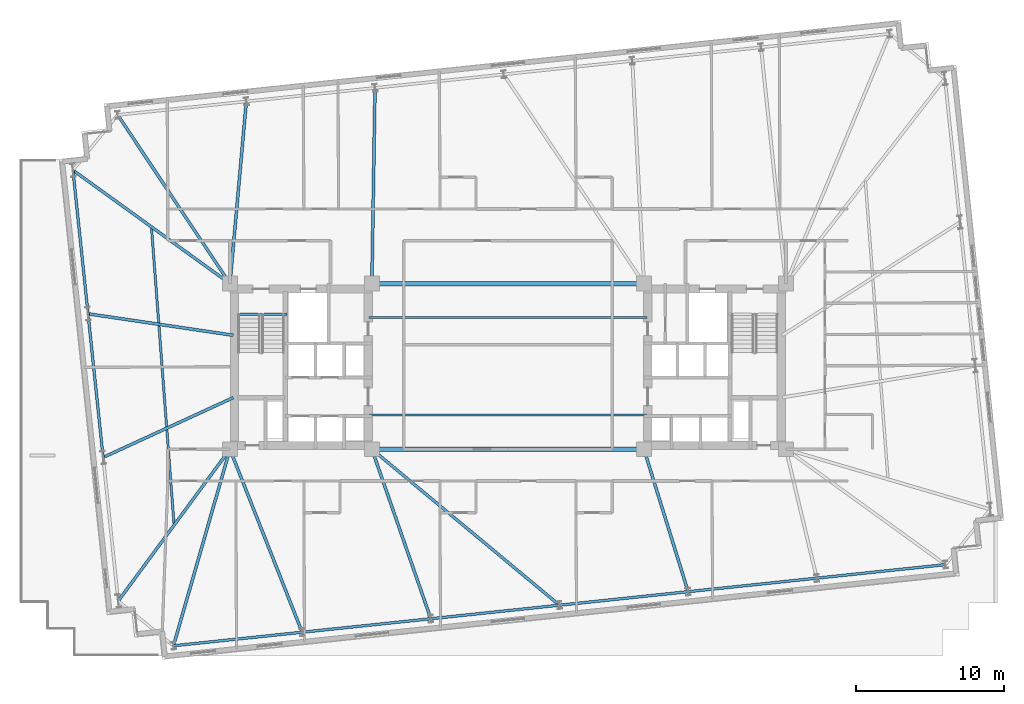
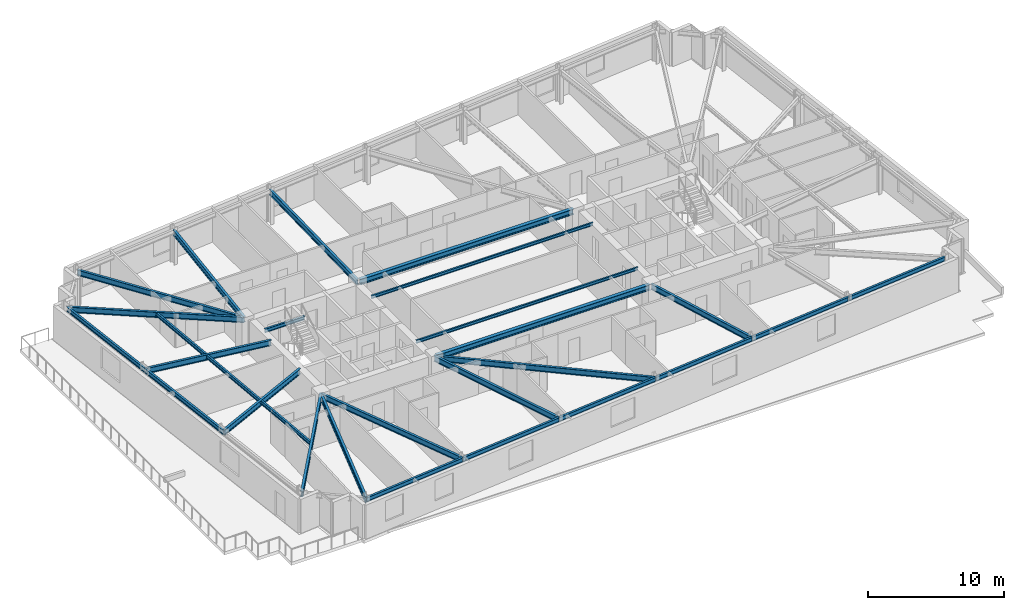
# One storey, part 5 of 20: 26 beams.
"""IFC4 building model written with IfcOpenShell, lengths in metres."""

from ifc_helpers import new_model, si_unit, direction, frame, origin, origin_2d, place, context, subcontext, project, spatial, i_section, extrude, material, material_profile, profile_set, type_object, element, save


model = new_model("IFC4")

# Units and contexts
model_context = context("Model", 3, precision=1e-05, world=origin(), true_north=direction((0.0, 1.0)))
body_context = subcontext(model_context, "Body", "Model", "MODEL_VIEW")
ifc_project = project(units=[si_unit("LENGTHUNIT", "METRE"), si_unit("AREAUNIT", "SQUARE_METRE"), si_unit("VOLUMEUNIT", "CUBIC_METRE"), si_unit("PLANEANGLEUNIT", "RADIAN"), si_unit("MASSUNIT", "GRAM", prefix="KILO")], contexts=[model_context])

# Site, building, storey
site_placement = place(None, origin())
site = spatial("IfcSite", under=ifc_project, at=site_placement, CompositionType="ELEMENT")
building_placement = place(site_placement, origin())
building = spatial("IfcBuilding", under=site, at=building_placement, Name="Qobustan Lattice House", CompositionType="ELEMENT")
storey_placement = place(building_placement, frame((0.0, 0.0, 79.0)))
storey = spatial("IfcBuildingStorey", under=building, at=storey_placement, Name="L21", CompositionType="ELEMENT", Elevation=79.0)

# Beams
ifc_material_1 = material(Name="Steel S355", Category="steel")
ifc_material_profile_1 = material_profile(ifc_material_1, i_section(OverallWidth=0.300048828125, OverallDepth=0.5, WebThickness=0.014404296875, FlangeThickness=0.028076171875, FilletRadius=0.027099609375, at=origin_2d()), Name="HEB500")
ifc_profile_set_1 = profile_set([ifc_material_profile_1], Name="Steel S355")
beam_type_1 = type_object("IfcBeamType", Name="BM-CG-HEB500", PredefinedType="USERDEFINED", material=ifc_profile_set_1)
for number, where, z_axis, x_axis, name in (
    (1, (-9.050048828125, -5.60009765625, 2.794921875), (1.0, 0.0, 0.0), (0.0, 1.0, 0.0), "L21 core spine girder CG-CS"),
    (2, (-9.050048828125, 5.60009765625, 2.794921875), (1.0, 0.0, 0.0), (0.0, 1.0, 0.0), "L21 core spine girder CG-CN"),
):
    element("IfcBeam", number, at=place(storey_placement, frame(where, z_axis=z_axis, x_axis=x_axis)), inside=storey, type_object=beam_type_1, Name=name, ObjectType="GIRDER", PredefinedType="USERDEFINED", context=body_context, shape_type="SweptSolid", body=[
        extrude(i_section(OverallWidth=0.300048828125, OverallDepth=0.5, WebThickness=0.014404296875, FlangeThickness=0.028076171875, FilletRadius=0.027099609375, at=origin_2d()), origin(), (0.0, 0.0, 1.0), 18.10009765625),
    ])
ifc_material_2 = material(Name="Steel S355", Category="steel")
ifc_material_profile_2 = material_profile(ifc_material_2, i_section(OverallWidth=0.199951171875, OverallDepth=0.5, WebThickness=0.01025390625, FlangeThickness=0.01611328125, FilletRadius=0.02099609375, at=origin_2d()), Name="IPE500")
ifc_profile_set_2 = profile_set([ifc_material_profile_2], Name="Steel S355")
beam_type_2 = type_object("IfcBeamType", Name="BM-FLG-IPE500", PredefinedType="USERDEFINED", material=ifc_profile_set_2)
beam_1_placement = place(storey_placement, frame((-22.612548828125, -18.87109375, 2.794921875), z_axis=(0.276115177845, 0.961124554136, 0.0), x_axis=(-0.961124554136, 0.276115177845, 0.0)))
element("IfcBeam", 3, at=beam_1_placement, inside=storey, type_object=beam_type_2, Name="L21 primary floor girder RAD-S1W", ObjectType="GIRDER", PredefinedType="USERDEFINED", context=body_context, shape_type="SweptSolid", body=[
    extrude(i_section(OverallWidth=0.199951171875, OverallDepth=0.5, WebThickness=0.01025390625, FlangeThickness=0.01611328125, FilletRadius=0.02099609375, at=origin_2d()), origin(), (0.0, 0.0, 1.0), 13.782958984375),
])
beam_2_placement = place(storey_placement, frame((-13.926513671875, -17.95703125, 2.794921875), z_axis=(-0.366884358141, 0.930266557365, 0.0), x_axis=(-0.930266557365, -0.366884358141, 0.0)))
element("IfcBeam", 4, at=beam_2_placement, inside=storey, type_object=beam_type_2, Name="L21 primary floor girder RAD-S2", ObjectType="GIRDER", PredefinedType="USERDEFINED", context=body_context, shape_type="SweptSolid", body=[
    extrude(i_section(OverallWidth=0.199951171875, OverallDepth=0.5, WebThickness=0.01025390625, FlangeThickness=0.01611328125, FilletRadius=0.02099609375, at=origin_2d()), origin(), (0.0, 0.0, 1.0), 13.25830078125),
])
beam_3_placement = place(storey_placement, frame((-5.223388671875, -17.0419921875, 2.794921875), z_axis=(-0.328289533586, 0.94457714462, 0.0), x_axis=(-0.94457714462, -0.328289533586, 0.0)))
element("IfcBeam", 5, at=beam_3_placement, inside=storey, type_object=beam_type_2, Name="L21 primary floor girder RAD-S3", ObjectType="GIRDER", PredefinedType="USERDEFINED", context=body_context, shape_type="SweptSolid", body=[
    extrude(i_section(OverallWidth=0.199951171875, OverallDepth=0.5, WebThickness=0.01025390625, FlangeThickness=0.01611328125, FilletRadius=0.02099609375, at=origin_2d()), origin(), (0.0, 0.0, 1.0), 12.08837890625),
])
beam_4_placement = place(storey_placement, frame((3.467529296875, -16.135009765625, 2.794921875), z_axis=(-0.768858311844, 0.639419186691, 0.0), x_axis=(-0.639419186691, -0.768858311844, 0.0)))
element("IfcBeam", 6, at=beam_4_placement, inside=storey, type_object=beam_type_2, Name="L21 primary floor girder RAD-S4", ObjectType="GIRDER", PredefinedType="USERDEFINED", context=body_context, shape_type="SweptSolid", body=[
    extrude(i_section(OverallWidth=0.199951171875, OverallDepth=0.5, WebThickness=0.01025390625, FlangeThickness=0.01611328125, FilletRadius=0.02099609375, at=origin_2d()), origin(), (0.0, 0.0, 1.0), 16.450927734375),
])
beam_5_placement = place(storey_placement, frame((12.181396484375, -15.212646484375, 2.794921875), z_axis=(-0.296219460995, 0.955119903953, 0.0), x_axis=(-0.955119903953, -0.296219460995, 0.0)))
element("IfcBeam", 7, at=beam_5_placement, inside=storey, type_object=beam_type_2, Name="L21 primary floor girder RAD-S5", ObjectType="GIRDER", PredefinedType="USERDEFINED", context=body_context, shape_type="SweptSolid", body=[
    extrude(i_section(OverallWidth=0.199951171875, OverallDepth=0.5, WebThickness=0.01025390625, FlangeThickness=0.01611328125, FilletRadius=0.02099609375, at=origin_2d()), origin(), (0.0, 0.0, 1.0), 10.03955078125),
])
beam_6_placement = place(storey_placement, frame((-26.37890625, 16.986328125, 2.794921875), z_axis=(0.5540893103, -0.832457227857, 0.0), x_axis=(0.832457227857, 0.5540893103, 0.0)))
element("IfcBeam", 8, at=beam_6_placement, inside=storey, type_object=beam_type_2, Name="L21 primary floor girder RAD-N7W", ObjectType="GIRDER", PredefinedType="USERDEFINED", context=body_context, shape_type="SweptSolid", body=[
    extrude(i_section(OverallWidth=0.199951171875, OverallDepth=0.5, WebThickness=0.01025390625, FlangeThickness=0.01611328125, FilletRadius=0.02099609375, at=origin_2d()), origin(), (0.0, 0.0, 1.0), 13.65283203125),
])
beam_7_placement = place(storey_placement, frame((-17.693115234375, 17.89697265625, 2.794921875), z_axis=(-0.089658533603, -0.995972563554, 0.0), x_axis=(0.995972563554, -0.089658533603, 0.0)))
element("IfcBeam", 9, at=beam_7_placement, inside=storey, type_object=beam_type_2, Name="L21 primary floor girder RAD-N6", ObjectType="GIRDER", PredefinedType="USERDEFINED", context=body_context, shape_type="SweptSolid", body=[
    extrude(i_section(OverallWidth=0.199951171875, OverallDepth=0.5, WebThickness=0.01025390625, FlangeThickness=0.01611328125, FilletRadius=0.02099609375, at=origin_2d()), origin(), (0.0, 0.0, 1.0), 12.321533203125),
])
beam_8_placement = place(storey_placement, frame((-8.9892578125, 18.8115234375, 2.794921875), z_axis=(-0.015957384359, -0.999872672836, 0.0), x_axis=(0.999872672836, -0.015957384359, 0.0)))
element("IfcBeam", 10, at=beam_8_placement, inside=storey, type_object=beam_type_2, Name="L21 primary floor girder RAD-N5", ObjectType="GIRDER", PredefinedType="USERDEFINED", context=body_context, shape_type="SweptSolid", body=[
    extrude(i_section(OverallWidth=0.199951171875, OverallDepth=0.5, WebThickness=0.01025390625, FlangeThickness=0.01611328125, FilletRadius=0.02099609375, at=origin_2d()), origin(), (0.0, 0.0, 1.0), 13.188232421875),
])
beam_9_placement = place(storey_placement, frame((-29.398681640625, 13.255859375, 2.794921875), z_axis=(0.810627425394, -0.585562274399, 0.0), x_axis=(0.585562274399, 0.810627425394, 0.0)))
element("IfcBeam", 11, at=beam_9_placement, inside=storey, type_object=beam_type_2, Name="L21 primary floor girder RAD-W1", ObjectType="GIRDER", PredefinedType="USERDEFINED", context=body_context, shape_type="SweptSolid", body=[
    extrude(i_section(OverallWidth=0.199951171875, OverallDepth=0.5, WebThickness=0.01025390625, FlangeThickness=0.01611328125, FilletRadius=0.02099609375, at=origin_2d()), origin(), (0.0, 0.0, 1.0), 13.049560546875),
])
beam_10_placement = place(storey_placement, frame((-28.373291015625, 3.5537109375, 2.794921875), z_axis=(0.989228195022, -0.146381618294, 0.0), x_axis=(0.146381618294, 0.989228195022, 0.0)))
element("IfcBeam", 12, at=beam_10_placement, inside=storey, type_object=beam_type_2, Name="L21 primary floor girder RAD-W2", ObjectType="GIRDER", PredefinedType="USERDEFINED", context=body_context, shape_type="SweptSolid", body=[
    extrude(i_section(OverallWidth=0.199951171875, OverallDepth=0.5, WebThickness=0.01025390625, FlangeThickness=0.01611328125, FilletRadius=0.02099609375, at=origin_2d()), origin(), (0.0, 0.0, 1.0), 9.9052734375),
])
beam_11_placement = place(storey_placement, frame((-27.3544921875, -6.1455078125, 2.794921875), z_axis=(0.908664928826, 0.417526103521, 0.0), x_axis=(-0.417526103521, 0.908664928826, 0.0)))
element("IfcBeam", 13, at=beam_11_placement, inside=storey, type_object=beam_type_2, Name="L21 primary floor girder RAD-W3", ObjectType="GIRDER", PredefinedType="USERDEFINED", context=body_context, shape_type="SweptSolid", body=[
    extrude(i_section(OverallWidth=0.199951171875, OverallDepth=0.5, WebThickness=0.01025390625, FlangeThickness=0.01611328125, FilletRadius=0.02099609375, at=origin_2d()), origin(), (0.0, 0.0, 1.0), 9.66455078125),
])
beam_12_placement = place(storey_placement, frame((-26.34130859375, -15.848876953125, 2.794921875), z_axis=(0.592669703312, 0.805445605101, 0.0), x_axis=(-0.805445605101, 0.592669703312, 0.0)))
element("IfcBeam", 14, at=beam_12_placement, inside=storey, type_object=beam_type_2, Name="L21 primary floor girder RAD-W4", ObjectType="GIRDER", PredefinedType="USERDEFINED", context=body_context, shape_type="SweptSolid", body=[
    extrude(i_section(OverallWidth=0.199951171875, OverallDepth=0.5, WebThickness=0.01025390625, FlangeThickness=0.01611328125, FilletRadius=0.02099609375, at=origin_2d()), origin(), (0.0, 0.0, 1.0), 12.699462890625),
])
ifc_material_3 = material(Name="Steel S355", Category="steel")
ifc_material_profile_3 = material_profile(ifc_material_3, i_section(OverallWidth=0.135009765625, OverallDepth=0.27001953125, WebThickness=0.006591796875, FlangeThickness=0.01025390625, FilletRadius=0.014892578125, at=origin_2d()), Name="IPE270")
ifc_profile_set_3 = profile_set([ifc_material_profile_3], Name="Steel S355")
beam_type_3 = type_object("IfcBeamType", Name="BM-JST-IPE270", PredefinedType="JOIST", material=ifc_profile_set_3)
for number, where, z_axis, x_axis, name in (
    (15, (-9.39990234375, -3.300048828125, 2.909912109375), (1.0, 0.0, 0.0), (0.0, 1.0, 0.0), "L21 central span floor joist 1"),
    (16, (-9.39990234375, 3.300048828125, 2.909912109375), (1.0, 0.0, 0.0), (0.0, 1.0, 0.0), "L21 central span floor joist 2"),
):
    element("IfcBeam", number, at=place(storey_placement, frame(where, z_axis=z_axis, x_axis=x_axis)), inside=storey, type_object=beam_type_3, Name=name, PredefinedType="JOIST", context=body_context, shape_type="SweptSolid", body=[
        extrude(i_section(OverallWidth=0.135009765625, OverallDepth=0.27001953125, WebThickness=0.006591796875, FlangeThickness=0.01025390625, FilletRadius=0.014892578125, at=origin_2d()), origin(), (0.0, 0.0, 1.0), 18.7998046875),
    ])
ifc_material_4 = material(Name="Steel S355", Category="steel")
ifc_material_profile_4 = material_profile(ifc_material_4, i_section(OverallWidth=0.159912109375, OverallDepth=0.330078125, WebThickness=0.007568359375, FlangeThickness=0.011474609375, FilletRadius=0.01806640625, at=origin_2d()), Name="IPE330")
ifc_profile_set_4 = profile_set([ifc_material_profile_4], Name="Steel S355")
beam_type_4 = type_object("IfcBeamType", Name="BM-SEC-IPE330", PredefinedType="BEAM", material=ifc_profile_set_4)
beam_13_placement = place(storey_placement, frame((-24.109619140625, 9.435302734375, 2.8798828125), z_axis=(0.07571166528, -0.997129752711, 0.0), x_axis=(0.997129752711, 0.07571166528, 0.0)))
element("IfcBeam", 17, at=beam_13_placement, inside=storey, type_object=beam_type_4, Name="L21 west wing secondary beam", PredefinedType="BEAM", context=body_context, shape_type="SweptSolid", body=[
    extrude(i_section(OverallWidth=0.159912109375, OverallDepth=0.330078125, WebThickness=0.007568359375, FlangeThickness=0.011474609375, FilletRadius=0.01806640625, at=origin_2d()), origin(), (0.0, 0.0, 1.0), 20.22802734375),
])
ifc_material_5 = material(Name="Steel S355", Category="steel")
ifc_material_profile_5 = material_profile(ifc_material_5, i_section(OverallWidth=0.159912109375, OverallDepth=0.330078125, WebThickness=0.007568359375, FlangeThickness=0.011474609375, FilletRadius=0.01806640625, at=origin_2d()), Name="IPE330")
ifc_profile_set_5 = profile_set([ifc_material_profile_5], Name="Steel S355")
beam_type_5 = type_object("IfcBeamType", Name="BM-SPD-IPE330", PredefinedType="SPANDREL", material=ifc_profile_set_5)
beam_14_placement = place(storey_placement, frame((-18.300048828125, 3.52001953125, 2.8798828125), z_axis=(1.0, 0.0, 0.0), x_axis=(0.0, 1.0, 0.0)))
element("IfcBeam", 18, at=beam_14_placement, inside=storey, type_object=beam_type_5, Name="L21 west stair landing trimmer beam", PredefinedType="SPANDREL", context=body_context, shape_type="SweptSolid", body=[
    extrude(i_section(OverallWidth=0.159912109375, OverallDepth=0.330078125, WebThickness=0.007568359375, FlangeThickness=0.011474609375, FilletRadius=0.01806640625, at=origin_2d()), origin(), (0.0, 0.0, 1.0), 3.35009765625),
])
ifc_material_6 = material(Name="Steel S355", Category="steel")
ifc_material_profile_6 = material_profile(ifc_material_6, i_section(OverallWidth=0.179931640625, OverallDepth=0.39990234375, WebThickness=0.008544921875, FlangeThickness=0.013427734375, FilletRadius=0.02099609375, at=origin_2d()), Name="IPE400")
ifc_profile_set_6 = profile_set([ifc_material_profile_6], Name="Steel S355")
beam_type_6 = type_object("IfcBeamType", Name="BM-SPD-IPE400", PredefinedType="SPANDREL", material=ifc_profile_set_6)
beam_15_placement = place(storey_placement, frame((-22.594482421875, -18.892333984375, 2.844970703125), z_axis=(0.994521279781, 0.10453432002, 0.0), x_axis=(-0.10453432002, 0.994521279781, 0.0)))
element("IfcBeam", 19, at=beam_15_placement, inside=storey, type_object=beam_type_6, Name="L21 perimeter spandrel S1-S2", PredefinedType="SPANDREL", context=body_context, shape_type="SweptSolid", body=[
    extrude(i_section(OverallWidth=0.179931640625, OverallDepth=0.39990234375, WebThickness=0.008544921875, FlangeThickness=0.013427734375, FilletRadius=0.02099609375, at=origin_2d()), origin(), (0.0, 0.0, 1.0), 8.69970703125),
])
for number, where, z_axis, x_axis, name in (
    (20, (-13.892578125, -17.977783203125, 2.844970703125), (0.994521586424, 0.104531402636, 0.0), (-0.104531402636, 0.994521586424, 0.0), "L21 perimeter spandrel S2-S3"),
    (21, (-5.1904296875, -17.06298828125, 2.844970703125), (0.994524503348, 0.104503647022, 0.0), (-0.104503647022, 0.994524503348, 0.0), "L21 perimeter spandrel S3-S4"),
):
    element("IfcBeam", number, at=place(storey_placement, frame(where, z_axis=z_axis, x_axis=x_axis)), inside=storey, type_object=beam_type_6, Name=name, PredefinedType="SPANDREL", context=body_context, shape_type="SweptSolid", body=[
        extrude(i_section(OverallWidth=0.179931640625, OverallDepth=0.39990234375, WebThickness=0.008544921875, FlangeThickness=0.013427734375, FilletRadius=0.02099609375, at=origin_2d()), origin(), (0.0, 0.0, 1.0), 8.699951171875),
    ])
beam_16_placement = place(storey_placement, frame((3.51171875, -16.1484375, 2.844970703125), z_axis=(0.994521279781, 0.10453432002, 0.0), x_axis=(-0.10453432002, 0.994521279781, 0.0)))
element("IfcBeam", 22, at=beam_16_placement, inside=storey, type_object=beam_type_6, Name="L21 perimeter spandrel S4-S5", PredefinedType="SPANDREL", context=body_context, shape_type="SweptSolid", body=[
    extrude(i_section(OverallWidth=0.179931640625, OverallDepth=0.39990234375, WebThickness=0.008544921875, FlangeThickness=0.013427734375, FilletRadius=0.02099609375, at=origin_2d()), origin(), (0.0, 0.0, 1.0), 8.69970703125),
])
for number, where, z_axis, x_axis, name in (
    (23, (12.213623046875, -15.23388671875, 2.844970703125), (0.994521586424, 0.104531402636, 0.0), (-0.104531402636, 0.994521586424, 0.0), "L21 perimeter spandrel S5-S6"),
    (24, (20.915771484375, -14.3193359375, 2.844970703125), (0.994521586424, 0.104531402636, 0.0), (-0.104531402636, 0.994521586424, 0.0), "L21 perimeter spandrel S6-S7"),
):
    element("IfcBeam", number, at=place(storey_placement, frame(where, z_axis=z_axis, x_axis=x_axis)), inside=storey, type_object=beam_type_6, Name=name, PredefinedType="SPANDREL", context=body_context, shape_type="SweptSolid", body=[
        extrude(i_section(OverallWidth=0.179931640625, OverallDepth=0.39990234375, WebThickness=0.008544921875, FlangeThickness=0.013427734375, FilletRadius=0.02099609375, at=origin_2d()), origin(), (0.0, 0.0, 1.0), 8.699951171875),
    ])
beam_17_placement = place(storey_placement, frame((-29.416259765625, 13.24560546875, 2.844970703125), z_axis=(0.104525214252, -0.994522236848, 0.0), x_axis=(0.994522236848, 0.104525214252, 0.0)))
element("IfcBeam", 25, at=beam_17_placement, inside=storey, type_object=beam_type_6, Name="L21 perimeter spandrel W1-W2", PredefinedType="SPANDREL", context=body_context, shape_type="SweptSolid", body=[
    extrude(i_section(OverallWidth=0.179931640625, OverallDepth=0.39990234375, WebThickness=0.008544921875, FlangeThickness=0.013427734375, FilletRadius=0.02099609375, at=origin_2d()), origin(), (0.0, 0.0, 1.0), 9.716552734375),
])
beam_18_placement = place(storey_placement, frame((-28.3955078125, 3.532470703125, 2.844970703125), z_axis=(0.104547453407, -0.994519899241, 0.0), x_axis=(0.994519899241, 0.104547453407, 0.0)))
element("IfcBeam", 26, at=beam_18_placement, inside=storey, type_object=beam_type_6, Name="L21 perimeter spandrel W2-W3", PredefinedType="SPANDREL", context=body_context, shape_type="SweptSolid", body=[
    extrude(i_section(OverallWidth=0.179931640625, OverallDepth=0.39990234375, WebThickness=0.008544921875, FlangeThickness=0.013427734375, FilletRadius=0.02099609375, at=origin_2d()), origin(), (0.0, 0.0, 1.0), 9.716796875),
])

save(model, "model.ifc")
